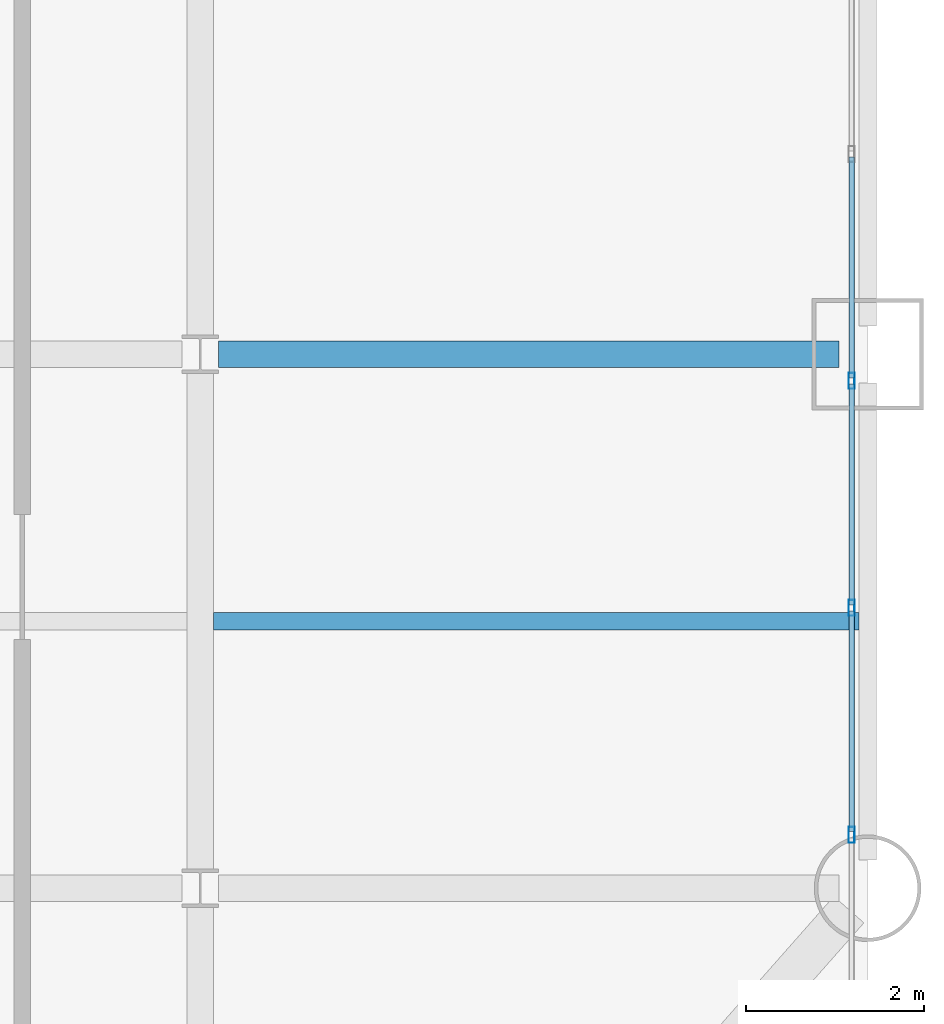
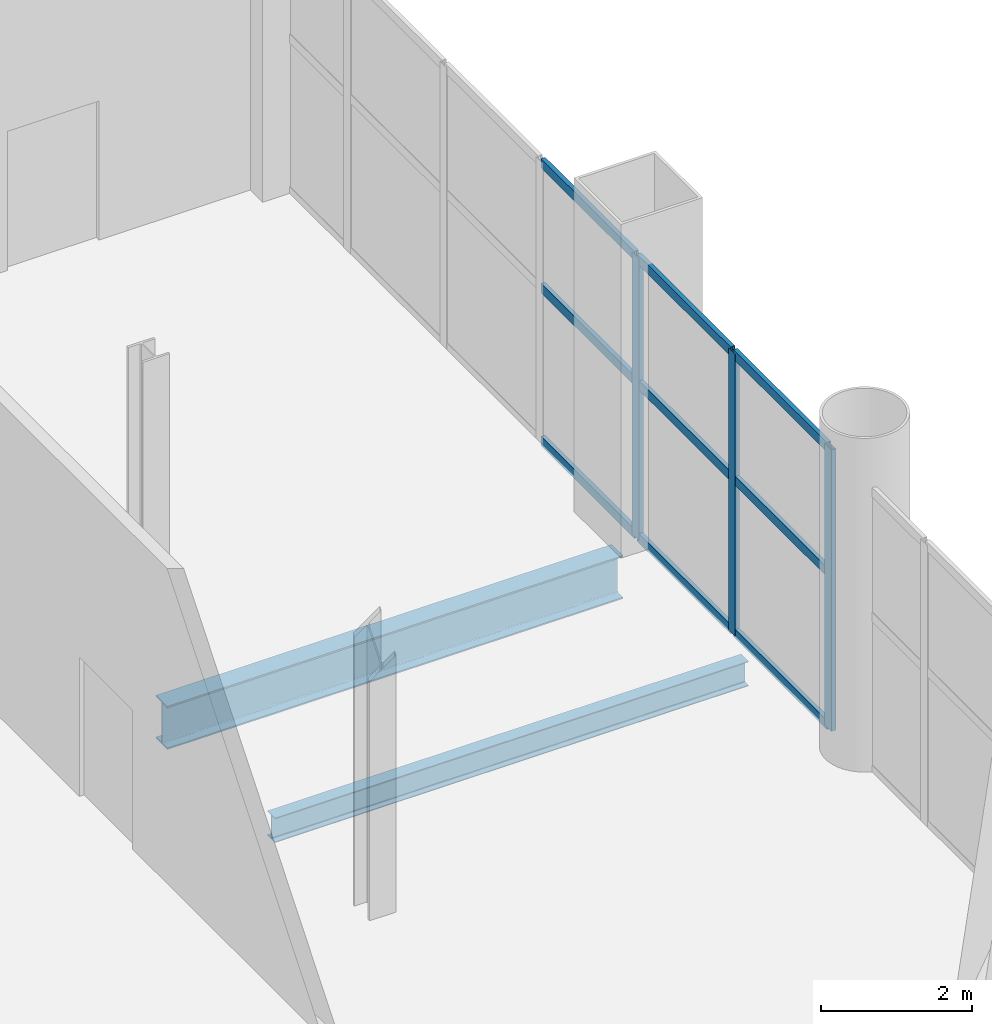
# One storey, part 10 of 26: 12 members, 2 beams, 1 element without a shape of its own.
"""IFC4 building model written with IfcOpenShell, lengths in metres."""

from ifc_helpers import new_model, si_unit, direction, frame, origin, origin_2d, place, context, subcontext, project, spatial, hollow_rectangle, i_section, extrude, material, layer, layer_set, material_profile, profile_set, type_object, element, aggregate, save


model = new_model("IFC4")

# Units and contexts
model_context = context("Model", 3, precision=1e-05, world=origin(), true_north=direction((0.0, 1.0)))
body_context = subcontext(model_context, "Body", "Model", "MODEL_VIEW")
ifc_project = project(units=[si_unit("LENGTHUNIT", "METRE"), si_unit("AREAUNIT", "SQUARE_METRE"), si_unit("VOLUMEUNIT", "CUBIC_METRE"), si_unit("PLANEANGLEUNIT", "RADIAN"), si_unit("MASSUNIT", "GRAM", prefix="KILO")], contexts=[model_context])

# Site, building, storey
site_placement = place(None, origin())
site = spatial("IfcSite", under=ifc_project, at=site_placement, CompositionType="ELEMENT")
building_placement = place(site_placement, origin())
building = spatial("IfcBuilding", under=site, at=building_placement, Name="Qianrong Seaharbour Tower", CompositionType="ELEMENT")
storey_placement = place(building_placement, frame((0.0, 0.0, 108.199951171875)))
storey = spatial("IfcBuildingStorey", under=building, at=storey_placement, Name="L26", CompositionType="ELEMENT", Elevation=108.199951171875)

# Beams
ifc_material_1 = material(Name="Structural steel SN490B", Category="steel")
ifc_material_profile_1 = material_profile(ifc_material_1, i_section(OverallWidth=0.300048828125, OverallDepth=0.699951171875, WebThickness=0.012939453125, FlangeThickness=0.02392578125, FilletRadius=0.02587890625, at=origin_2d()), Name="H700x300x13x24")
ifc_profile_set_1 = profile_set([ifc_material_profile_1], Name="Structural steel SN490B")
beam_type_1 = type_object("IfcBeamType", Name="BM-G-700", PredefinedType="BEAM", material=ifc_profile_set_1)
beam_1_placement = place(storey_placement, frame((56.70361328125, 18.5, -0.699951171875), z_axis=(1.0, 0.0, 0.0), x_axis=(0.0, 1.0, 0.0)))
element("IfcBeam", 1, at=beam_1_placement, inside=storey, type_object=beam_type_1, Name="L26 Primary Girder GD G8-G9", PredefinedType="BEAM", context=body_context, shape_type="SweptSolid", body=[
    extrude(i_section(OverallWidth=0.300048828125, OverallDepth=0.699951171875, WebThickness=0.012939453125, FlangeThickness=0.02392578125, FilletRadius=0.02587890625, at=origin_2d()), origin(), (0.0, 0.0, 1.0), 6.976318359375),
])
ifc_material_2 = material(Name="Structural steel SN400B", Category="steel")
ifc_material_profile_2 = material_profile(ifc_material_2, i_section(OverallWidth=0.199951171875, OverallDepth=0.39990234375, WebThickness=0.008056640625, FlangeThickness=0.012939453125, FilletRadius=0.01611328125, at=origin_2d()), Name="H400x200x8x13")
ifc_profile_set_2 = profile_set([ifc_material_profile_2], Name="Structural steel SN400B")
beam_type_2 = type_object("IfcBeamType", Name="BM-J-400", PredefinedType="JOIST", material=ifc_profile_set_2)
beam_2_placement = place(storey_placement, frame((56.64990234375, 15.5, -0.550048828125), z_axis=(1.0, 0.0, 0.0), x_axis=(0.0, 1.0, 0.0)))
element("IfcBeam", 2, at=beam_2_placement, inside=storey, type_object=beam_type_2, Name="L26 Composite Floor Joist G8-G9/GC-GD", PredefinedType="JOIST", context=body_context, shape_type="SweptSolid", body=[
    extrude(i_section(OverallWidth=0.199951171875, OverallDepth=0.39990234375, WebThickness=0.008056640625, FlangeThickness=0.012939453125, FilletRadius=0.01611328125, at=origin_2d()), origin(), (0.0, 0.0, 1.0), 7.25),
])

# Curtain wall, members
ifc_material_3 = material(Name="Anodised aluminium 6063-T6 and laminated low-e glass", Category="aluminium")
ifc_layer = layer(ifc_material_3, 0.18505859375)
ifc_layer_set = layer_set([ifc_layer], Name="Anodised aluminium 6063-T6 and laminated low-e glass")
curtain_wall_type = type_object("IfcCurtainWallType", Name="CW-SYS-4", PredefinedType="NOTDEFINED", material=ifc_layer_set)
curtain_wall_placement = place(storey_placement, origin())
curtain_wall = element("IfcCurtainWall", 3, at=curtain_wall_placement, inside=storey, type_object=curtain_wall_type, Name="L26 Refuge Acoustic Louvre Curtain Wall EAST_WING", PredefinedType="NOTDEFINED")
ifc_material_4 = material(Name="Extruded aluminium 6063-T6", Category="aluminium")
ifc_material_profile_3 = material_profile(ifc_material_4, hollow_rectangle(XDim=0.070068359375, YDim=0.179931640625, WallThickness=0.00390625, at=origin_2d()), Name="ALU-MUL-180x70x4")
ifc_profile_set_3 = profile_set([ifc_material_profile_3], Name="Extruded aluminium 6063-T6")
member_type_1 = type_object("IfcMemberType", Name="CW-MUL-180", PredefinedType="MULLION", material=ifc_profile_set_3)
member_1_placement = place(storey_placement, frame((63.820068359375, 18.199951171875, 0.0), z_axis=(0.0, 0.0, 1.0), x_axis=(1.0, 0.0, 0.0)))
member_1 = element("IfcMember", 4, at=member_1_placement, type_object=member_type_1, Name="CW-4 mullion 8", PredefinedType="MULLION", context=body_context, shape_type="SweptSolid", body=[
    extrude(hollow_rectangle(XDim=0.070068359375, YDim=0.179931640625, WallThickness=0.00390625, at=origin_2d()), origin(), (0.0, 0.0, 1.0), 4.56005859375),
])
member_2_placement = place(storey_placement, frame((63.820068359375, 15.64990234375, 0.0), z_axis=(0.0, 0.0, 1.0), x_axis=(1.0, 0.0, 0.0)))
member_2 = element("IfcMember", 5, at=member_2_placement, type_object=member_type_1, Name="CW-4 mullion 9", PredefinedType="MULLION", context=body_context, shape_type="SweptSolid", body=[
    extrude(hollow_rectangle(XDim=0.070068359375, YDim=0.179931640625, WallThickness=0.00390625, at=origin_2d()), origin(), (0.0, 0.0, 1.0), 4.56005859375),
])
member_3_placement = place(storey_placement, frame((63.820068359375, 13.10009765625, 0.0), z_axis=(0.0, 0.0, 1.0), x_axis=(1.0, 0.0, 0.0)))
member_3 = element("IfcMember", 6, at=member_3_placement, type_object=member_type_1, Name="CW-4 mullion 10", PredefinedType="MULLION", context=body_context, shape_type="SweptSolid", body=[
    extrude(hollow_rectangle(XDim=0.070068359375, YDim=0.179931640625, WallThickness=0.00390625, at=origin_2d()), origin(), (0.0, 0.0, 1.0), 4.56005859375),
])
ifc_material_profile_4 = material_profile(ifc_material_4, hollow_rectangle(XDim=0.06494140625, YDim=0.14990234375, WallThickness=0.00390625, at=origin_2d()), Name="ALU-TRN-150x65x4")
ifc_profile_set_4 = profile_set([ifc_material_profile_4], Name="Extruded aluminium 6063-T6")
member_type_2 = type_object("IfcMemberType", Name="CW-TRN-150", PredefinedType="USERDEFINED", material=ifc_profile_set_4)
member_4_placement = place(storey_placement, frame((63.820068359375, 20.715087890625, 0.032470703125), z_axis=(0.0, -1.0, 0.0), x_axis=(1.0, 0.0, 0.0)))
member_4 = element("IfcMember", 7, at=member_4_placement, type_object=member_type_2, Name="CW-4 transom 7.1", ObjectType="TRANSOM", PredefinedType="USERDEFINED", context=body_context, shape_type="SweptSolid", body=[
    extrude(hollow_rectangle(XDim=0.06494140625, YDim=0.14990234375, WallThickness=0.00390625, at=origin_2d()), origin(), (0.0, 0.0, 1.0), 2.47998046875),
])
member_5_placement = place(storey_placement, frame((63.820068359375, 20.715087890625, 2.508056640625), z_axis=(0.0, -1.0, 0.0), x_axis=(1.0, 0.0, 0.0)))
member_5 = element("IfcMember", 8, at=member_5_placement, type_object=member_type_2, Name="CW-4 transom 7.2", ObjectType="TRANSOM", PredefinedType="USERDEFINED", context=body_context, shape_type="SweptSolid", body=[
    extrude(hollow_rectangle(XDim=0.06494140625, YDim=0.14990234375, WallThickness=0.00390625, at=origin_2d()), origin(), (0.0, 0.0, 1.0), 2.47998046875),
])
member_6_placement = place(storey_placement, frame((63.820068359375, 20.715087890625, 4.527587890625), z_axis=(0.0, -1.0, 0.0), x_axis=(1.0, 0.0, 0.0)))
member_6 = element("IfcMember", 9, at=member_6_placement, type_object=member_type_2, Name="CW-4 transom 7.3", ObjectType="TRANSOM", PredefinedType="USERDEFINED", context=body_context, shape_type="SweptSolid", body=[
    extrude(hollow_rectangle(XDim=0.06494140625, YDim=0.14990234375, WallThickness=0.00390625, at=origin_2d()), origin(), (0.0, 0.0, 1.0), 2.47998046875),
])
member_7_placement = place(storey_placement, frame((63.820068359375, 18.1650390625, 0.032470703125), z_axis=(0.0, -1.0, 0.0), x_axis=(1.0, 0.0, 0.0)))
member_7 = element("IfcMember", 10, at=member_7_placement, type_object=member_type_2, Name="CW-4 transom 8.1", ObjectType="TRANSOM", PredefinedType="USERDEFINED", context=body_context, shape_type="SweptSolid", body=[
    extrude(hollow_rectangle(XDim=0.06494140625, YDim=0.14990234375, WallThickness=0.00390625, at=origin_2d()), origin(), (0.0, 0.0, 1.0), 2.47998046875),
])
member_8_placement = place(storey_placement, frame((63.820068359375, 18.1650390625, 2.508056640625), z_axis=(0.0, -1.0, 0.0), x_axis=(1.0, 0.0, 0.0)))
member_8 = element("IfcMember", 11, at=member_8_placement, type_object=member_type_2, Name="CW-4 transom 8.2", ObjectType="TRANSOM", PredefinedType="USERDEFINED", context=body_context, shape_type="SweptSolid", body=[
    extrude(hollow_rectangle(XDim=0.06494140625, YDim=0.14990234375, WallThickness=0.00390625, at=origin_2d()), origin(), (0.0, 0.0, 1.0), 2.47998046875),
])
member_9_placement = place(storey_placement, frame((63.820068359375, 18.1650390625, 4.527587890625), z_axis=(0.0, -1.0, 0.0), x_axis=(1.0, 0.0, 0.0)))
member_9 = element("IfcMember", 12, at=member_9_placement, type_object=member_type_2, Name="CW-4 transom 8.3", ObjectType="TRANSOM", PredefinedType="USERDEFINED", context=body_context, shape_type="SweptSolid", body=[
    extrude(hollow_rectangle(XDim=0.06494140625, YDim=0.14990234375, WallThickness=0.00390625, at=origin_2d()), origin(), (0.0, 0.0, 1.0), 2.47998046875),
])
member_10_placement = place(storey_placement, frame((63.820068359375, 15.614990234375, 0.032470703125), z_axis=(0.0, -1.0, 0.0), x_axis=(1.0, 0.0, 0.0)))
member_10 = element("IfcMember", 13, at=member_10_placement, type_object=member_type_2, Name="CW-4 transom 9.1", ObjectType="TRANSOM", PredefinedType="USERDEFINED", context=body_context, shape_type="SweptSolid", body=[
    extrude(hollow_rectangle(XDim=0.06494140625, YDim=0.14990234375, WallThickness=0.00390625, at=origin_2d()), origin(), (0.0, 0.0, 1.0), 2.47998046875),
])
member_11_placement = place(storey_placement, frame((63.820068359375, 15.614990234375, 2.508056640625), z_axis=(0.0, -1.0, 0.0), x_axis=(1.0, 0.0, 0.0)))
member_11 = element("IfcMember", 14, at=member_11_placement, type_object=member_type_2, Name="CW-4 transom 9.2", ObjectType="TRANSOM", PredefinedType="USERDEFINED", context=body_context, shape_type="SweptSolid", body=[
    extrude(hollow_rectangle(XDim=0.06494140625, YDim=0.14990234375, WallThickness=0.00390625, at=origin_2d()), origin(), (0.0, 0.0, 1.0), 2.47998046875),
])
member_12_placement = place(storey_placement, frame((63.820068359375, 15.614990234375, 4.527587890625), z_axis=(0.0, -1.0, 0.0), x_axis=(1.0, 0.0, 0.0)))
member_12 = element("IfcMember", 15, at=member_12_placement, type_object=member_type_2, Name="CW-4 transom 9.3", ObjectType="TRANSOM", PredefinedType="USERDEFINED", context=body_context, shape_type="SweptSolid", body=[
    extrude(hollow_rectangle(XDim=0.06494140625, YDim=0.14990234375, WallThickness=0.00390625, at=origin_2d()), origin(), (0.0, 0.0, 1.0), 2.47998046875),
])
aggregate(curtain_wall, [member_1, member_2, member_3, member_4, member_5, member_6, member_7, member_8, member_9, member_10, member_11, member_12])

save(model, "model.ifc")
